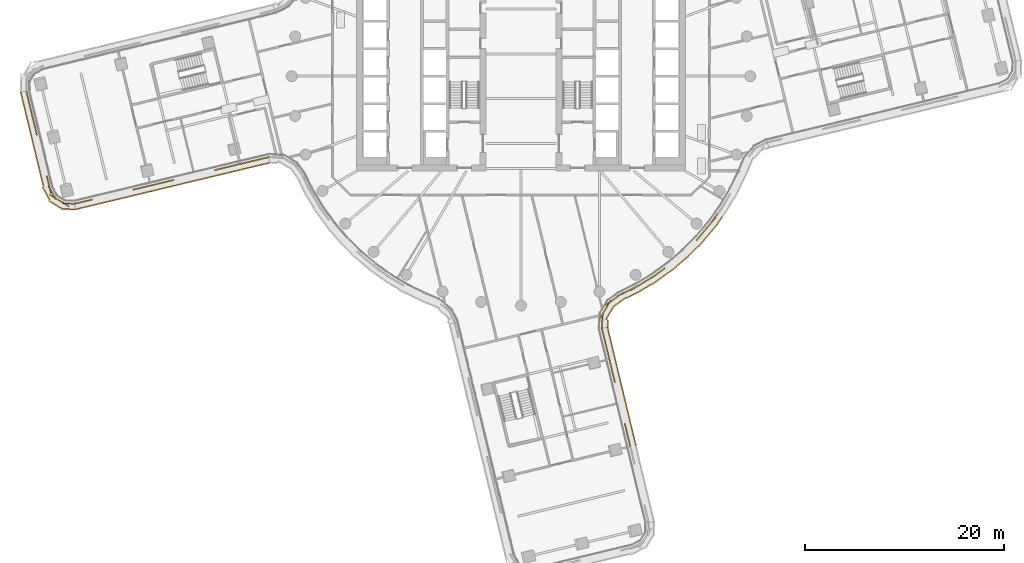
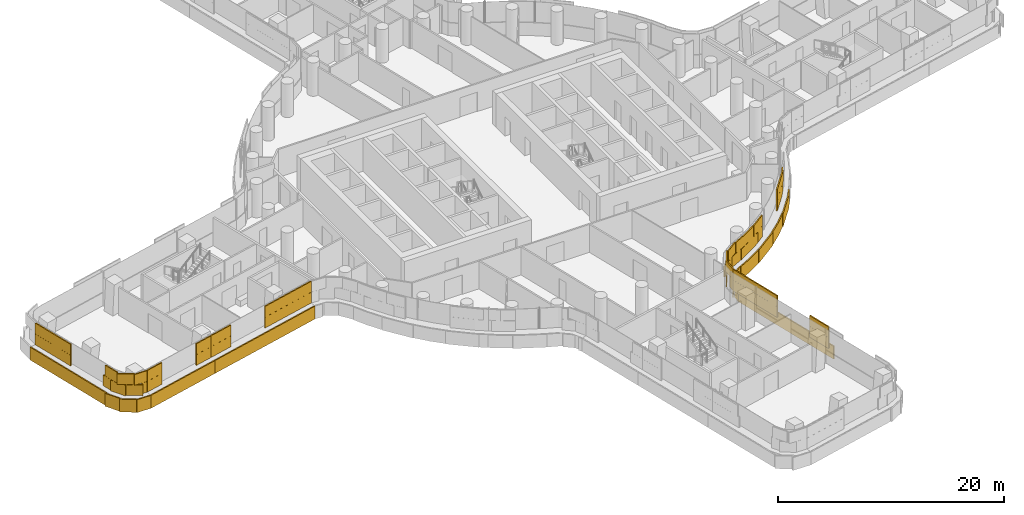
# One storey, part 26 of 33: 5 coverings.
"""IFC4 building model written with IfcOpenShell, lengths in metres."""

import ifcopenshell
import ifcopenshell.guid

model = None  # the IFC model being written
_history = None  # IfcOwnerHistory: only IFC2X3 demands one
_inside = {}  # id of a spatial element -> (the spatial element, [elements in it])
_under = {}  # id of a project, library or spatial element -> (it, [spatial elements below it])
_declared = {}  # id of a project -> (the project, [libraries it declares])
_typed = {}  # id of a type object -> (the type object, [elements of that type])
_made_of = {}  # id of a material, layer set ... -> (it, [elements and type objects made of it])


def new_model(schema):
    """Start an empty IFC model of exactly this schema.

    Asked for "IFC4X3", IfcOpenShell would pick the latest addendum, in which some entities
    have other attributes; the version numbers below select the first issue.
    IFC2X3 requires an IfcOwnerHistory on every rooted entity: one is made here for all.
    """
    global model, _history
    if schema == "IFC4X3":
        model = ifcopenshell.file(schema_version=(4, 3, 0, 0))
    else:
        model = ifcopenshell.file(schema=schema)
    _inside.clear()
    _under.clear()
    _declared.clear()
    _typed.clear()
    _made_of.clear()
    _history = None
    if model.schema == "IFC2X3":
        org = make("IfcOrganization", Name="unknown")
        user = make(
            "IfcPersonAndOrganization",
            ThePerson=make("IfcPerson", FamilyName="unknown"),
            TheOrganization=org,
        )
        app = make(
            "IfcApplication",
            ApplicationDeveloper=org,
            Version="unknown",
            ApplicationFullName="unknown",
            ApplicationIdentifier="unknown",
        )
        _history = make(
            "IfcOwnerHistory",
            OwningUser=user,
            OwningApplication=app,
            ChangeAction="ADDED",
            CreationDate=0,
        )
    return model


def make(cls, **values):
    """One entity of the class cls with the attributes given. An attribute that is None is left unset."""
    return model.create_entity(
        cls, **{name: value for name, value in values.items() if value is not None}
    )


def rooted(cls, **values):
    """An entity with a GlobalId (a new one), such as an element, a storey or a relation."""
    return make(cls, GlobalId=ifcopenshell.guid.new(), OwnerHistory=_history, **values)


def si_unit(unit_type, name, prefix=None):
    """IfcSIUnit, for example si_unit("LENGTHUNIT", "METRE", prefix="MILLI")."""
    return make("IfcSIUnit", UnitType=unit_type, Prefix=prefix, Name=name)


def assignment(units):
    """IfcUnitAssignment: the units of a project."""
    return None if units is None else make("IfcUnitAssignment", Units=units)


def point(xyz):
    """IfcCartesianPoint."""
    return None if xyz is None else make("IfcCartesianPoint", Coordinates=xyz)


def direction(xyz):
    """IfcDirection."""
    return None if xyz is None else make("IfcDirection", DirectionRatios=xyz)


def frame(location, z_axis=None, x_axis=None):
    """IfcAxis2Placement3D, a coordinate frame: its origin and axes. An axis left out is left unset."""
    return make(
        "IfcAxis2Placement3D",
        Location=point(location),
        Axis=direction(z_axis),
        RefDirection=direction(x_axis),
    )


def frame_2d(location, x_axis=None):
    """IfcAxis2Placement2D, a coordinate frame in the plane: its origin and x axis."""
    return make(
        "IfcAxis2Placement2D", Location=point(location), RefDirection=direction(x_axis)
    )


def origin():
    """The frame at (0, 0, 0) with its axes left unset."""
    return frame((0.0, 0.0, 0.0))


def origin_2d():
    """The frame at (0, 0) in the plane with its x axis left unset."""
    return frame_2d((0.0, 0.0))


def place(relative_to, where):
    """IfcLocalPlacement: puts the frame where relative to a parent placement (None: the world)."""
    return make(
        "IfcLocalPlacement", PlacementRelTo=relative_to, RelativePlacement=where
    )


def context(
    kind, dimensions, precision=None, world=None, true_north=None, identifier=None
):
    """IfcGeometricRepresentationContext, for example the 3D "Model" context."""
    return make(
        "IfcGeometricRepresentationContext",
        ContextIdentifier=identifier,
        ContextType=kind,
        CoordinateSpaceDimension=dimensions,
        Precision=precision,
        WorldCoordinateSystem=world,
        TrueNorth=true_north,
    )


def subcontext(parent, identifier, kind, view, scale=None):
    """IfcGeometricRepresentationSubContext, for example "Body" below "Model"."""
    return make(
        "IfcGeometricRepresentationSubContext",
        ContextIdentifier=identifier,
        ContextType=kind,
        ParentContext=parent,
        TargetScale=scale,
        TargetView=view,
    )


def project(units=None, contexts=None):
    """IfcProject with its units and contexts."""
    return rooted(
        "IfcProject",
        Name="project",
        RepresentationContexts=contexts,
        UnitsInContext=assignment(units),
    )


def spatial(cls, under=None, at=None, **own):
    """A site, building, storey or space (cls), placed at a placement, below another one or the project."""
    s = rooted(cls, ObjectPlacement=at, **own)
    if under is not None:
        _under.setdefault(under.id(), (under, []))[1].append(s)
    return s


def profile(cls, at=None, kind="AREA", **sizes):
    """A parametric profile (cls). Its sizes go by their IFC names, for example OverallWidth=200.0."""
    return make(cls, ProfileType=kind, Position=at, **sizes)


def rectangle(**sizes):
    """IfcRectangleProfileDef."""
    return profile("IfcRectangleProfileDef", **sizes)


def extrude(swept, where, along, depth):
    """IfcExtrudedAreaSolid: the profile swept, set in the frame where, extruded along a direction by depth."""
    return make(
        "IfcExtrudedAreaSolid",
        SweptArea=swept,
        Position=where,
        ExtrudedDirection=direction(along),
        Depth=depth,
    )


def shape(context_of_items, identifier, shape_type, items):
    """IfcShapeRepresentation: the items that make up one representation, for example the "Body"."""
    return make(
        "IfcShapeRepresentation",
        ContextOfItems=context_of_items,
        RepresentationIdentifier=identifier,
        RepresentationType=shape_type,
        Items=items,
    )


def material(Name=None, Category=None):
    """IfcMaterial."""
    return make("IfcMaterial", Name=Name, Category=Category)


def layer(
    of_material, thickness, ventilated=None, Name=None, Category=None, Priority=None
):
    """IfcMaterialLayer: one layer of a wall or slab, of a material (None: an air gap)."""
    return make(
        "IfcMaterialLayer",
        Material=of_material,
        LayerThickness=thickness,
        IsVentilated=ventilated,
        Name=Name,
        Category=Category,
        Priority=Priority,
    )


def layer_set(layers, Name=None):
    """IfcMaterialLayerSet."""
    return make("IfcMaterialLayerSet", MaterialLayers=layers, LayerSetName=Name)


def made_of(thing, what):
    """Note that an element or type object is made of a material, layer set ...; save() writes the relation."""
    if what is not None:
        _made_of.setdefault(what.id(), (what, []))[1].append(thing)
    return thing


def type_object(cls, material=None, **own):
    """A type object (cls), such as IfcWallType, which elements share."""
    return made_of(rooted(cls, **own), material)


def element(
    cls,
    number,
    at=None,
    inside=None,
    cuts=None,
    type_object=None,
    material=None,
    context=None,
    identifier="Body",
    shape_type=None,
    held_by="IfcProductDefinitionShape",
    body=None,
    shapes=None,
    **own,
):
    """One element of the class cls, such as IfcWall. Its Tag is "e" and its number.

    at: its placement. inside: the storey or other place that contains it. cuts: it is an
    opening in that element (IfcRelVoidsElement). A single representation is given by context,
    identifier, shape_type and body (its items); several are given by shapes. held_by: the class
    of the entity that holds the representations. save() writes the other relations.
    """
    e = rooted(cls, Tag="e%d" % number, ObjectPlacement=at, **own)
    if body is not None:
        shapes = [shape(context, identifier, shape_type, body)]
    if shapes is not None:
        e.Representation = make(held_by, Representations=shapes)
    if inside is not None:
        _inside.setdefault(inside.id(), (inside, []))[1].append(e)
    if cuts is not None:
        rooted(
            "IfcRelVoidsElement", RelatingBuildingElement=cuts, RelatedOpeningElement=e
        )
    if type_object is not None:
        _typed.setdefault(type_object.id(), (type_object, []))[1].append(e)
    return made_of(e, material)


def aggregate(whole, parts):
    """IfcRelAggregates: a whole, such as a stair, and the parts it consists of."""
    return rooted("IfcRelAggregates", RelatingObject=whole, RelatedObjects=parts)


def save(model, path):
    """Write the relations noted so far, then the file.

    IfcRelAggregates (storeys below a building ...), IfcRelContainedInSpatialStructure (elements
    in a storey), IfcRelDefinesByType, IfcRelAssociatesMaterial and IfcRelDeclares: one each for
    every whole, place, type object, material and project.
    """
    for whole, parts in _under.values():
        aggregate(whole, parts)
    for where, things in _inside.values():
        rooted(
            "IfcRelContainedInSpatialStructure",
            RelatedElements=things,
            RelatingStructure=where,
        )
    for kind, things in _typed.values():
        rooted("IfcRelDefinesByType", RelatedObjects=things, RelatingType=kind)
    for what, things in _made_of.values():
        rooted("IfcRelAssociatesMaterial", RelatedObjects=things, RelatingMaterial=what)
    for by, libraries in _declared.values():
        rooted("IfcRelDeclares", RelatingContext=by, RelatedDefinitions=libraries)
    model.write(path)


model = new_model("IFC4")

# Units and contexts
model_context = context("Model", 3, precision=1e-05, world=origin(), true_north=direction((0.0, 1.0)))
body_context = subcontext(model_context, "Body", "Model", "MODEL_VIEW")
ifc_project = project(units=[si_unit("LENGTHUNIT", "METRE"), si_unit("AREAUNIT", "SQUARE_METRE"), si_unit("VOLUMEUNIT", "CUBIC_METRE"), si_unit("PLANEANGLEUNIT", "RADIAN"), si_unit("MASSUNIT", "GRAM", prefix="KILO")], contexts=[model_context])

# Site, building, storey
site_placement = place(None, origin())
site = spatial("IfcSite", under=ifc_project, at=site_placement, CompositionType="ELEMENT")
building_placement = place(site_placement, origin())
building = spatial("IfcBuilding", under=site, at=building_placement, Name="Tamarind Cross Interchange Tower", CompositionType="ELEMENT")
storey_placement = place(building_placement, frame((0.0, 0.0, 83.5)))
storey = spatial("IfcBuildingStorey", under=building, at=storey_placement, Name="L19", CompositionType="ELEMENT", Elevation=83.5)

# Coverings
ifc_material = material(Name="Terracotta", Category="masonry")
ifc_layer = layer(ifc_material, 0.1201171875)
ifc_layer_set = layer_set([ifc_layer], Name="Terracotta")
covering_type = type_object("IfcCoveringType", Name="Terracotta baguette screen unit", PredefinedType="MOLDING", material=ifc_layer_set)
covering_1_placement = place(storey_placement, origin())
element("IfcCovering", 1, at=covering_1_placement, inside=storey, type_object=covering_type, Name="SCR-L19-04-00", PredefinedType="MOLDING", context=body_context, shape_type="SweptSolid", body=[
    extrude(rectangle(XDim=0.760009765625, YDim=0.1201171875, at=origin_2d()), frame((-49.530517578125, -1.881103515625, 1.404052734375), z_axis=(0.0, 0.0, 1.0), x_axis=(0.234843537027, -0.972033185193, 0.0)), (0.0, 0.0, 1.0), 1.1669921875),
    extrude(rectangle(XDim=1.52001953125, YDim=0.1201171875, at=origin_2d()), frame((-49.266357421875, -2.974609375, 1.404052734375), z_axis=(0.0, 0.0, 1.0), x_axis=(0.234843537027, -0.972033185193, 0.0)), (0.0, 0.0, 1.0), 1.1669921875),
    extrude(rectangle(XDim=1.52001953125, YDim=0.1201171875, at=origin_2d()), frame((-48.9140625, -4.4326171875, 1.404052734375), z_axis=(0.0, 0.0, 1.0), x_axis=(0.234843537027, -0.972033185193, 0.0)), (0.0, 0.0, 1.0), 1.1669921875),
    extrude(rectangle(XDim=0.784912109375, YDim=0.1201171875, at=origin_2d()), frame((-48.64697265625, -5.538330078125, 1.404052734375), z_axis=(0.0, 0.0, 1.0), x_axis=(0.234843537027, -0.972033185193, 0.0)), (0.0, 0.0, 1.0), 1.1669921875),
    extrude(rectangle(XDim=1.03515625, YDim=0.1201171875, at=origin_2d()), frame((-47.44921875, -10.49560546875, 1.404052734375), z_axis=(0.0, 0.0, 1.0), x_axis=(0.234843537027, -0.972033185193, 0.0)), (0.0, 0.0, 1.0), 1.1669921875),
    extrude(rectangle(XDim=1.52001953125, YDim=0.1201171875, at=origin_2d()), frame((-47.036865234375, -11.67822265625, 1.404052734375), z_axis=(0.0, 0.0, 1.0), x_axis=(0.478422138351, -0.878129977586, 0.0)), (0.0, 0.0, 1.0), 1.1669921875),
    extrude(rectangle(XDim=1.52001953125, YDim=0.1201171875, at=origin_2d()), frame((-45.979736328125, -12.67236328125, 1.404052734375), z_axis=(0.0, 0.0, 1.0), x_axis=(0.853390714338, -0.521271799238, 0.0)), (0.0, 0.0, 1.0), 1.1669921875),
    extrude(rectangle(XDim=0.509521484375, YDim=0.1201171875, at=origin_2d()), frame((-45.00634765625, -12.785888671875, 1.404052734375), z_axis=(0.0, 0.0, 1.0), x_axis=(0.99969393759, -0.024739263248, 0.0)), (0.0, 0.0, 1.0), 1.1669921875),
    extrude(rectangle(XDim=1.510009765625, YDim=0.1201171875, at=origin_2d()), frame((-49.442626953125, -2.24560546875, 2.5791015625), z_axis=(0.0, 0.0, 1.0), x_axis=(0.234843537027, -0.972033185193, 0.0)), (0.0, 0.0, 1.0), 1.1669921875),
    extrude(rectangle(XDim=1.52001953125, YDim=0.1201171875, at=origin_2d()), frame((-49.09033203125, -3.70361328125, 2.5791015625), z_axis=(0.0, 0.0, 1.0), x_axis=(0.234843537027, -0.972033185193, 0.0)), (0.0, 0.0, 1.0), 1.1669921875),
    extrude(rectangle(XDim=1.52001953125, YDim=0.1201171875, at=origin_2d()), frame((-48.738037109375, -5.161865234375, 2.5791015625), z_axis=(0.0, 0.0, 1.0), x_axis=(0.234843537027, -0.972033185193, 0.0)), (0.0, 0.0, 1.0), 1.1669921875),
    extrude(rectangle(XDim=1.52001953125, YDim=0.1201171875, at=origin_2d()), frame((-47.328857421875, -10.993896484375, 2.5791015625), z_axis=(0.0, 0.0, 1.0), x_axis=(0.234843537027, -0.972033185193, 0.0)), (0.0, 0.0, 1.0), 1.1669921875),
    extrude(rectangle(XDim=1.52001953125, YDim=0.1201171875, at=origin_2d()), frame((-46.619873046875, -12.281494140625, 2.5791015625), z_axis=(0.0, 0.0, 1.0), x_axis=(0.853390714338, -0.521271799238, 0.0)), (0.0, 0.0, 1.0), 1.1669921875),
    extrude(rectangle(XDim=1.259521484375, YDim=0.1201171875, at=origin_2d()), frame((-45.38134765625, -12.776611328125, 2.5791015625), z_axis=(0.0, 0.0, 1.0), x_axis=(0.99969393759, -0.024739263248, 0.0)), (0.0, 0.0, 1.0), 1.1669921875),
    extrude(rectangle(XDim=0.760009765625, YDim=0.1201171875, at=origin_2d()), frame((-50.105224609375, -1.947265625, 0.00390625), z_axis=(0.0, 0.0, 1.0), x_axis=(0.234843537027, -0.972033185193, 0.0)), (0.0, 0.0, 1.0), 1.39208984375),
    extrude(rectangle(XDim=1.52001953125, YDim=0.1201171875, at=origin_2d()), frame((-49.842041015625, -3.0361328125, 0.00390625), z_axis=(0.0, 0.0, 1.0), x_axis=(0.234843537027, -0.972033185193, 0.0)), (0.0, 0.0, 1.0), 1.39208984375),
    extrude(rectangle(XDim=1.52001953125, YDim=0.1201171875, at=origin_2d()), frame((-49.48974609375, -4.494140625, 0.00390625), z_axis=(0.0, 0.0, 1.0), x_axis=(0.234843537027, -0.972033185193, 0.0)), (0.0, 0.0, 1.0), 1.39208984375),
    extrude(rectangle(XDim=1.52001953125, YDim=0.1201171875, at=origin_2d()), frame((-49.137451171875, -5.9521484375, 0.00390625), z_axis=(0.0, 0.0, 1.0), x_axis=(0.234843537027, -0.972033185193, 0.0)), (0.0, 0.0, 1.0), 1.39208984375),
    extrude(rectangle(XDim=1.52001953125, YDim=0.1201171875, at=origin_2d()), frame((-48.785400390625, -7.41015625, 0.00390625), z_axis=(0.0, 0.0, 1.0), x_axis=(0.234843537027, -0.972033185193, 0.0)), (0.0, 0.0, 1.0), 1.39208984375),
    extrude(rectangle(XDim=1.52001953125, YDim=0.1201171875, at=origin_2d()), frame((-48.43310546875, -8.8681640625, 0.00390625), z_axis=(0.0, 0.0, 1.0), x_axis=(0.234843537027, -0.972033185193, 0.0)), (0.0, 0.0, 1.0), 1.39208984375),
    extrude(rectangle(XDim=1.52001953125, YDim=0.1201171875, at=origin_2d()), frame((-48.080810546875, -10.326171875, 0.00390625), z_axis=(0.0, 0.0, 1.0), x_axis=(0.234843537027, -0.972033185193, 0.0)), (0.0, 0.0, 1.0), 1.39208984375),
    extrude(rectangle(XDim=1.52001953125, YDim=0.1201171875, at=origin_2d()), frame((-47.6494140625, -11.75390625, 0.00390625), z_axis=(0.0, 0.0, 1.0), x_axis=(0.478422138351, -0.878129977586, 0.0)), (0.0, 0.0, 1.0), 1.39208984375),
    extrude(rectangle(XDim=1.52001953125, YDim=0.1201171875, at=origin_2d()), frame((-46.73486328125, -12.8837890625, 0.00390625), z_axis=(0.0, 0.0, 1.0), x_axis=(0.853390714338, -0.521271799238, 0.0)), (0.0, 0.0, 1.0), 1.39208984375),
    extrude(rectangle(XDim=1.4267578125, YDim=0.1201171875, at=origin_2d()), frame((-45.408935546875, -13.35009765625, 0.00390625), z_axis=(0.0, 0.0, 1.0), x_axis=(0.99969393759, -0.024739263248, 0.0)), (0.0, 0.0, 1.0), 1.39208984375),
])
covering_2_placement = place(storey_placement, origin())
element("IfcCovering", 2, at=covering_2_placement, inside=storey, type_object=covering_type, Name="SCR-L19-05-00", PredefinedType="MOLDING", context=body_context, shape_type="SweptSolid", body=[
    extrude(rectangle(XDim=0.760009765625, YDim=0.1201171875, at=origin_2d()), frame((-44.39208984375, -12.704345703125, 1.404052734375), z_axis=(0.0, 0.0, 1.0), x_axis=(0.972346190764, 0.233544182771, 0.0)), (0.0, 0.0, 1.0), 1.1669921875),
    extrude(rectangle(XDim=1.06591796875, YDim=0.1201171875, at=origin_2d()), frame((-43.51416015625, -12.49365234375, 1.404052734375), z_axis=(0.0, 0.0, 1.0), x_axis=(0.972346190764, 0.233544182771, 0.0)), (0.0, 0.0, 1.0), 1.1669921875),
    extrude(rectangle(XDim=0.754150390625, YDim=0.1201171875, at=origin_2d()), frame((-38.55517578125, -11.302490234375, 1.404052734375), z_axis=(0.0, 0.0, 1.0), x_axis=(0.972346190764, 0.233544182771, 0.0)), (0.0, 0.0, 1.0), 1.1669921875),
    extrude(rectangle(XDim=1.07177734375, YDim=0.1201171875, at=origin_2d()), frame((-37.67724609375, -11.091552734375, 1.404052734375), z_axis=(0.0, 0.0, 1.0), x_axis=(0.972346190764, 0.233544182771, 0.0)), (0.0, 0.0, 1.0), 1.1669921875),
    extrude(rectangle(XDim=1.510009765625, YDim=0.1201171875, at=origin_2d()), frame((-44.02734375, -12.616943359375, 2.5791015625), z_axis=(0.0, 0.0, 1.0), x_axis=(0.972346190764, 0.233544182771, 0.0)), (0.0, 0.0, 1.0), 1.1669921875),
    extrude(rectangle(XDim=0.31591796875, YDim=0.1201171875, at=origin_2d()), frame((-43.1494140625, -12.406005859375, 2.5791015625), z_axis=(0.0, 0.0, 1.0), x_axis=(0.972346190764, 0.233544182771, 0.0)), (0.0, 0.0, 1.0), 1.1669921875),
    extrude(rectangle(XDim=1.504150390625, YDim=0.1201171875, at=origin_2d()), frame((-38.1904296875, -11.21484375, 2.5791015625), z_axis=(0.0, 0.0, 1.0), x_axis=(0.972346190764, 0.233544182771, 0.0)), (0.0, 0.0, 1.0), 1.1669921875),
    extrude(rectangle(XDim=0.32177734375, YDim=0.1201171875, at=origin_2d()), frame((-37.3125, -11.00390625, 2.5791015625), z_axis=(0.0, 0.0, 1.0), x_axis=(0.972346190764, 0.233544182771, 0.0)), (0.0, 0.0, 1.0), 1.1669921875),
    extrude(rectangle(XDim=0.760009765625, YDim=0.1201171875, at=origin_2d()), frame((-44.326171875, -13.27880859375, 0.00390625), z_axis=(0.0, 0.0, 1.0), x_axis=(0.972346190764, 0.233544182771, 0.0)), (0.0, 0.0, 1.0), 1.39208984375),
    extrude(rectangle(XDim=1.52001953125, YDim=0.1201171875, at=origin_2d()), frame((-43.237060546875, -13.017333984375, 0.00390625), z_axis=(0.0, 0.0, 1.0), x_axis=(0.972346190764, 0.233544182771, 0.0)), (0.0, 0.0, 1.0), 1.39208984375),
    extrude(rectangle(XDim=1.52001953125, YDim=0.1201171875, at=origin_2d()), frame((-41.778564453125, -12.6669921875, 0.00390625), z_axis=(0.0, 0.0, 1.0), x_axis=(0.972346190764, 0.233544182771, 0.0)), (0.0, 0.0, 1.0), 1.39208984375),
    extrude(rectangle(XDim=1.52001953125, YDim=0.1201171875, at=origin_2d()), frame((-40.320068359375, -12.316650390625, 0.00390625), z_axis=(0.0, 0.0, 1.0), x_axis=(0.972346190764, 0.233544182771, 0.0)), (0.0, 0.0, 1.0), 1.39208984375),
    extrude(rectangle(XDim=1.52001953125, YDim=0.1201171875, at=origin_2d()), frame((-38.861572265625, -11.96630859375, 0.00390625), z_axis=(0.0, 0.0, 1.0), x_axis=(0.972346190764, 0.233544182771, 0.0)), (0.0, 0.0, 1.0), 1.39208984375),
    extrude(rectangle(XDim=1.06689453125, YDim=0.1201171875, at=origin_2d()), frame((-37.623291015625, -11.6689453125, 0.00390625), z_axis=(0.0, 0.0, 1.0), x_axis=(0.972346190764, 0.233544182771, 0.0)), (0.0, 0.0, 1.0), 1.39208984375),
])
covering_3_placement = place(storey_placement, origin())
element("IfcCovering", 3, at=covering_3_placement, inside=storey, type_object=covering_type, Name="SCR-L19-05-01", PredefinedType="MOLDING", context=body_context, shape_type="SweptSolid", body=[
    extrude(rectangle(XDim=0.4482421875, YDim=0.1201171875, at=origin_2d()), frame((-36.947998046875, -10.91650390625, 1.404052734375), z_axis=(0.0, 0.0, 1.0), x_axis=(0.972346190764, 0.233544182771, 0.0)), (0.0, 0.0, 1.0), 1.1669921875),
    extrude(rectangle(XDim=1.52001953125, YDim=0.1201171875, at=origin_2d()), frame((-36.005615234375, -10.690185546875, 1.404052734375), z_axis=(0.0, 0.0, 1.0), x_axis=(0.972346190764, 0.233544182771, 0.0)), (0.0, 0.0, 1.0), 1.1669921875),
    extrude(rectangle(XDim=0.47119140625, YDim=0.1201171875, at=origin_2d()), frame((-35.052001953125, -10.461181640625, 1.404052734375), z_axis=(0.0, 0.0, 1.0), x_axis=(0.972346190764, 0.233544182771, 0.0)), (0.0, 0.0, 1.0), 1.1669921875),
    extrude(rectangle(XDim=1.348876953125, YDim=0.1201171875, at=origin_2d()), frame((-30.093017578125, -9.27001953125, 1.404052734375), z_axis=(0.0, 0.0, 1.0), x_axis=(0.972346190764, 0.233544182771, 0.0)), (0.0, 0.0, 1.0), 1.1669921875),
    extrude(rectangle(XDim=1.52001953125, YDim=0.1201171875, at=origin_2d()), frame((-28.712890625, -8.9384765625, 1.404052734375), z_axis=(0.0, 0.0, 1.0), x_axis=(0.972346190764, 0.233544182771, 0.0)), (0.0, 0.0, 1.0), 1.1669921875),
    extrude(rectangle(XDim=1.52001953125, YDim=0.1201171875, at=origin_2d()), frame((-27.25439453125, -8.588134765625, 1.404052734375), z_axis=(0.0, 0.0, 1.0), x_axis=(0.972346190764, 0.233544182771, 0.0)), (0.0, 0.0, 1.0), 1.1669921875),
    extrude(rectangle(XDim=1.30712890625, YDim=0.1201171875, at=origin_2d()), frame((-25.89453125, -8.261474609375, 1.404052734375), z_axis=(0.0, 0.0, 1.0), x_axis=(0.972346190764, 0.233544182771, 0.0)), (0.0, 0.0, 1.0), 1.1669921875),
    extrude(rectangle(XDim=1.1982421875, YDim=0.1201171875, at=origin_2d()), frame((-36.583251953125, -10.828857421875, 2.5791015625), z_axis=(0.0, 0.0, 1.0), x_axis=(0.972346190764, 0.233544182771, 0.0)), (0.0, 0.0, 1.0), 1.1669921875),
    extrude(rectangle(XDim=1.22119140625, YDim=0.1201171875, at=origin_2d()), frame((-35.416748046875, -10.548583984375, 2.5791015625), z_axis=(0.0, 0.0, 1.0), x_axis=(0.972346190764, 0.233544182771, 0.0)), (0.0, 0.0, 1.0), 1.1669921875),
    extrude(rectangle(XDim=0.598876953125, YDim=0.1201171875, at=origin_2d()), frame((-30.457763671875, -9.357666015625, 2.5791015625), z_axis=(0.0, 0.0, 1.0), x_axis=(0.972346190764, 0.233544182771, 0.0)), (0.0, 0.0, 1.0), 1.1669921875),
    extrude(rectangle(XDim=1.52001953125, YDim=0.1201171875, at=origin_2d()), frame((-29.442138671875, -9.11376953125, 2.5791015625), z_axis=(0.0, 0.0, 1.0), x_axis=(0.972346190764, 0.233544182771, 0.0)), (0.0, 0.0, 1.0), 1.1669921875),
    extrude(rectangle(XDim=1.52001953125, YDim=0.1201171875, at=origin_2d()), frame((-27.983642578125, -8.763427734375, 2.5791015625), z_axis=(0.0, 0.0, 1.0), x_axis=(0.972346190764, 0.233544182771, 0.0)), (0.0, 0.0, 1.0), 1.1669921875),
    extrude(rectangle(XDim=1.52001953125, YDim=0.1201171875, at=origin_2d()), frame((-26.525146484375, -8.4130859375, 2.5791015625), z_axis=(0.0, 0.0, 1.0), x_axis=(0.972346190764, 0.233544182771, 0.0)), (0.0, 0.0, 1.0), 1.1669921875),
    extrude(rectangle(XDim=0.55712890625, YDim=0.1201171875, at=origin_2d()), frame((-25.530029296875, -8.174072265625, 2.5791015625), z_axis=(0.0, 0.0, 1.0), x_axis=(0.972346190764, 0.233544182771, 0.0)), (0.0, 0.0, 1.0), 1.1669921875),
    extrude(rectangle(XDim=0.453125, YDim=0.1201171875, at=origin_2d()), frame((-36.88427734375, -11.491455078125, 0.00390625), z_axis=(0.0, 0.0, 1.0), x_axis=(0.972346190764, 0.233544182771, 0.0)), (0.0, 0.0, 1.0), 1.39208984375),
    extrude(rectangle(XDim=1.52001953125, YDim=0.1201171875, at=origin_2d()), frame((-35.944580078125, -11.265869140625, 0.00390625), z_axis=(0.0, 0.0, 1.0), x_axis=(0.972346190764, 0.233544182771, 0.0)), (0.0, 0.0, 1.0), 1.39208984375),
    extrude(rectangle(XDim=1.52001953125, YDim=0.1201171875, at=origin_2d()), frame((-34.486083984375, -10.91552734375, 0.00390625), z_axis=(0.0, 0.0, 1.0), x_axis=(0.972346190764, 0.233544182771, 0.0)), (0.0, 0.0, 1.0), 1.39208984375),
    extrude(rectangle(XDim=1.52001953125, YDim=0.1201171875, at=origin_2d()), frame((-33.027587890625, -10.565185546875, 0.00390625), z_axis=(0.0, 0.0, 1.0), x_axis=(0.972346190764, 0.233544182771, 0.0)), (0.0, 0.0, 1.0), 1.39208984375),
    extrude(rectangle(XDim=1.52001953125, YDim=0.1201171875, at=origin_2d()), frame((-31.569091796875, -10.21484375, 0.00390625), z_axis=(0.0, 0.0, 1.0), x_axis=(0.972346190764, 0.233544182771, 0.0)), (0.0, 0.0, 1.0), 1.39208984375),
    extrude(rectangle(XDim=1.52001953125, YDim=0.1201171875, at=origin_2d()), frame((-30.110595703125, -9.864501953125, 0.00390625), z_axis=(0.0, 0.0, 1.0), x_axis=(0.972346190764, 0.233544182771, 0.0)), (0.0, 0.0, 1.0), 1.39208984375),
    extrude(rectangle(XDim=1.52001953125, YDim=0.1201171875, at=origin_2d()), frame((-28.652099609375, -9.51416015625, 0.00390625), z_axis=(0.0, 0.0, 1.0), x_axis=(0.972346190764, 0.233544182771, 0.0)), (0.0, 0.0, 1.0), 1.39208984375),
    extrude(rectangle(XDim=1.52001953125, YDim=0.1201171875, at=origin_2d()), frame((-27.193359375, -9.163818359375, 0.00390625), z_axis=(0.0, 0.0, 1.0), x_axis=(0.972346190764, 0.233544182771, 0.0)), (0.0, 0.0, 1.0), 1.39208984375),
    extrude(rectangle(XDim=1.294921875, YDim=0.1201171875, at=origin_2d()), frame((-25.844482421875, -8.83984375, 0.00390625), z_axis=(0.0, 0.0, 1.0), x_axis=(0.972346190764, 0.233544182771, 0.0)), (0.0, 0.0, 1.0), 1.39208984375),
])
covering_4_placement = place(storey_placement, origin())
element("IfcCovering", 4, at=covering_4_placement, inside=storey, type_object=covering_type, Name="SCR-L19-09-01", PredefinedType="MOLDING", context=body_context, shape_type="SweptSolid", body=[
    extrude(rectangle(XDim=0.4482421875, YDim=0.1201171875, at=origin_2d()), frame((10.91650390625, -36.947998046875, 1.404052734375), z_axis=(0.0, 0.0, 1.0), x_axis=(-0.233544182771, 0.972346190764, 0.0)), (0.0, 0.0, 1.0), 1.1669921875),
    extrude(rectangle(XDim=1.52001953125, YDim=0.1201171875, at=origin_2d()), frame((10.690185546875, -36.005615234375, 1.404052734375), z_axis=(0.0, 0.0, 1.0), x_axis=(-0.233544182771, 0.972346190764, 0.0)), (0.0, 0.0, 1.0), 1.1669921875),
    extrude(rectangle(XDim=0.47119140625, YDim=0.1201171875, at=origin_2d()), frame((10.461181640625, -35.052001953125, 1.404052734375), z_axis=(0.0, 0.0, 1.0), x_axis=(-0.233544182771, 0.972346190764, 0.0)), (0.0, 0.0, 1.0), 1.1669921875),
    extrude(rectangle(XDim=1.348876953125, YDim=0.1201171875, at=origin_2d()), frame((9.27001953125, -30.093017578125, 1.404052734375), z_axis=(0.0, 0.0, 1.0), x_axis=(-0.233544182771, 0.972346190764, 0.0)), (0.0, 0.0, 1.0), 1.1669921875),
    extrude(rectangle(XDim=1.52001953125, YDim=0.1201171875, at=origin_2d()), frame((8.9384765625, -28.712890625, 1.404052734375), z_axis=(0.0, 0.0, 1.0), x_axis=(-0.233544182771, 0.972346190764, 0.0)), (0.0, 0.0, 1.0), 1.1669921875),
    extrude(rectangle(XDim=1.52001953125, YDim=0.1201171875, at=origin_2d()), frame((8.588134765625, -27.25439453125, 1.404052734375), z_axis=(0.0, 0.0, 1.0), x_axis=(-0.233544182771, 0.972346190764, 0.0)), (0.0, 0.0, 1.0), 1.1669921875),
    extrude(rectangle(XDim=1.30712890625, YDim=0.1201171875, at=origin_2d()), frame((8.261474609375, -25.89453125, 1.404052734375), z_axis=(0.0, 0.0, 1.0), x_axis=(-0.233544182771, 0.972346190764, 0.0)), (0.0, 0.0, 1.0), 1.1669921875),
    extrude(rectangle(XDim=1.1982421875, YDim=0.1201171875, at=origin_2d()), frame((10.828857421875, -36.583251953125, 2.5791015625), z_axis=(0.0, 0.0, 1.0), x_axis=(-0.233544182771, 0.972346190764, 0.0)), (0.0, 0.0, 1.0), 1.1669921875),
    extrude(rectangle(XDim=1.22119140625, YDim=0.1201171875, at=origin_2d()), frame((10.548583984375, -35.416748046875, 2.5791015625), z_axis=(0.0, 0.0, 1.0), x_axis=(-0.233544182771, 0.972346190764, 0.0)), (0.0, 0.0, 1.0), 1.1669921875),
    extrude(rectangle(XDim=0.598876953125, YDim=0.1201171875, at=origin_2d()), frame((9.357666015625, -30.457763671875, 2.5791015625), z_axis=(0.0, 0.0, 1.0), x_axis=(-0.233544182771, 0.972346190764, 0.0)), (0.0, 0.0, 1.0), 1.1669921875),
    extrude(rectangle(XDim=1.52001953125, YDim=0.1201171875, at=origin_2d()), frame((9.11376953125, -29.442138671875, 2.5791015625), z_axis=(0.0, 0.0, 1.0), x_axis=(-0.233544182771, 0.972346190764, 0.0)), (0.0, 0.0, 1.0), 1.1669921875),
    extrude(rectangle(XDim=1.52001953125, YDim=0.1201171875, at=origin_2d()), frame((8.763427734375, -27.983642578125, 2.5791015625), z_axis=(0.0, 0.0, 1.0), x_axis=(-0.233544182771, 0.972346190764, 0.0)), (0.0, 0.0, 1.0), 1.1669921875),
    extrude(rectangle(XDim=1.52001953125, YDim=0.1201171875, at=origin_2d()), frame((8.4130859375, -26.525146484375, 2.5791015625), z_axis=(0.0, 0.0, 1.0), x_axis=(-0.233544182771, 0.972346190764, 0.0)), (0.0, 0.0, 1.0), 1.1669921875),
    extrude(rectangle(XDim=0.55712890625, YDim=0.1201171875, at=origin_2d()), frame((8.174072265625, -25.530029296875, 2.5791015625), z_axis=(0.0, 0.0, 1.0), x_axis=(-0.233544182771, 0.972346190764, 0.0)), (0.0, 0.0, 1.0), 1.1669921875),
    extrude(rectangle(XDim=0.453125, YDim=0.1201171875, at=origin_2d()), frame((11.491455078125, -36.88427734375, 0.00390625), z_axis=(0.0, 0.0, 1.0), x_axis=(-0.233544182771, 0.972346190764, 0.0)), (0.0, 0.0, 1.0), 1.39208984375),
    extrude(rectangle(XDim=1.52001953125, YDim=0.1201171875, at=origin_2d()), frame((11.265869140625, -35.944580078125, 0.00390625), z_axis=(0.0, 0.0, 1.0), x_axis=(-0.233544182771, 0.972346190764, 0.0)), (0.0, 0.0, 1.0), 1.39208984375),
    extrude(rectangle(XDim=1.52001953125, YDim=0.1201171875, at=origin_2d()), frame((10.91552734375, -34.486083984375, 0.00390625), z_axis=(0.0, 0.0, 1.0), x_axis=(-0.233544182771, 0.972346190764, 0.0)), (0.0, 0.0, 1.0), 1.39208984375),
    extrude(rectangle(XDim=1.52001953125, YDim=0.1201171875, at=origin_2d()), frame((10.565185546875, -33.027587890625, 0.00390625), z_axis=(0.0, 0.0, 1.0), x_axis=(-0.233544182771, 0.972346190764, 0.0)), (0.0, 0.0, 1.0), 1.39208984375),
    extrude(rectangle(XDim=1.52001953125, YDim=0.1201171875, at=origin_2d()), frame((10.21484375, -31.569091796875, 0.00390625), z_axis=(0.0, 0.0, 1.0), x_axis=(-0.233544182771, 0.972346190764, 0.0)), (0.0, 0.0, 1.0), 1.39208984375),
    extrude(rectangle(XDim=1.52001953125, YDim=0.1201171875, at=origin_2d()), frame((9.864501953125, -30.110595703125, 0.00390625), z_axis=(0.0, 0.0, 1.0), x_axis=(-0.233544182771, 0.972346190764, 0.0)), (0.0, 0.0, 1.0), 1.39208984375),
    extrude(rectangle(XDim=1.52001953125, YDim=0.1201171875, at=origin_2d()), frame((9.51416015625, -28.652099609375, 0.00390625), z_axis=(0.0, 0.0, 1.0), x_axis=(-0.233544182771, 0.972346190764, 0.0)), (0.0, 0.0, 1.0), 1.39208984375),
    extrude(rectangle(XDim=1.52001953125, YDim=0.1201171875, at=origin_2d()), frame((9.163818359375, -27.193359375, 0.00390625), z_axis=(0.0, 0.0, 1.0), x_axis=(-0.233544182771, 0.972346190764, 0.0)), (0.0, 0.0, 1.0), 1.39208984375),
    extrude(rectangle(XDim=1.294921875, YDim=0.1201171875, at=origin_2d()), frame((8.83984375, -25.844482421875, 0.00390625), z_axis=(0.0, 0.0, 1.0), x_axis=(-0.233544182771, 0.972346190764, 0.0)), (0.0, 0.0, 1.0), 1.39208984375),
])
covering_5_placement = place(storey_placement, origin())
element("IfcCovering", 5, at=covering_5_placement, inside=storey, type_object=covering_type, Name="SCR-L19-10-00", PredefinedType="MOLDING", context=body_context, shape_type="SweptSolid", body=[
    extrude(rectangle(XDim=0.760009765625, YDim=0.1201171875, at=origin_2d()), frame((8.135009765625, -24.889892578125, 1.404052734375), z_axis=(0.0, 0.0, 1.0), x_axis=(0.06617526139, 0.997808014991, 0.0)), (0.0, 0.0, 1.0), 1.1669921875),
    extrude(rectangle(XDim=1.52001953125, YDim=0.1201171875, at=origin_2d()), frame((8.23486328125, -23.775146484375, 1.404052734375), z_axis=(0.0, 0.0, 1.0), x_axis=(0.511685343563, 0.859172921584, 0.0)), (0.0, 0.0, 1.0), 1.1669921875),
    extrude(rectangle(XDim=1.52001953125, YDim=0.1201171875, at=origin_2d()), frame((9.073486328125, -22.551513671875, 1.404052734375), z_axis=(0.0, 0.0, 1.0), x_axis=(0.811998665144, 0.583659290857, 0.0)), (0.0, 0.0, 1.0), 1.1669921875),
    extrude(rectangle(XDim=1.52001953125, YDim=0.1201171875, at=origin_2d()), frame((10.32958984375, -21.739501953125, 1.404052734375), z_axis=(0.0, 0.0, 1.0), x_axis=(0.89632521848, 0.443397229037, 0.0)), (0.0, 0.0, 1.0), 1.1669921875),
    extrude(rectangle(XDim=1.52001953125, YDim=0.1201171875, at=origin_2d()), frame((11.668701171875, -21.06494140625, 1.404052734375), z_axis=(0.0, 0.0, 1.0), x_axis=(0.856843065292, 0.515577308909, 0.0)), (0.0, 0.0, 1.0), 1.1669921875),
    extrude(rectangle(XDim=1.52001953125, YDim=0.1201171875, at=origin_2d()), frame((12.9541015625, -20.29150390625, 1.404052734375), z_axis=(0.0, 0.0, 1.0), x_axis=(0.856843065292, 0.515577308909, 0.0)), (0.0, 0.0, 1.0), 1.1669921875),
    extrude(rectangle(XDim=1.0859375, YDim=0.1201171875, at=origin_2d()), frame((14.015380859375, -19.563232421875, 1.404052734375), z_axis=(0.0, 0.0, 1.0), x_axis=(0.811340475102, 0.584573890505, 0.0)), (0.0, 0.0, 1.0), 1.1669921875),
    extrude(rectangle(XDim=0.734130859375, YDim=0.1201171875, at=origin_2d()), frame((17.828125, -16.192138671875, 1.404052734375), z_axis=(0.0, 0.0, 1.0), x_axis=(0.643009266048, 0.765858396687, 0.0)), (0.0, 0.0, 1.0), 1.1669921875),
    extrude(rectangle(XDim=1.52001953125, YDim=0.1201171875, at=origin_2d()), frame((18.543212890625, -15.34033203125, 1.404052734375), z_axis=(0.0, 0.0, 1.0), x_axis=(0.643009266048, 0.765858396687, 0.0)), (0.0, 0.0, 1.0), 1.1669921875),
    extrude(rectangle(XDim=1.221923828125, YDim=0.1201171875, at=origin_2d()), frame((19.380126953125, -14.27490234375, 1.404052734375), z_axis=(0.0, 0.0, 1.0), x_axis=(0.577568978284, 0.816341886298, 0.0)), (0.0, 0.0, 1.0), 1.1669921875),
    extrude(rectangle(XDim=1.510009765625, YDim=0.1201171875, at=origin_2d()), frame((8.15966796875, -24.515625, 2.5791015625), z_axis=(0.0, 0.0, 1.0), x_axis=(0.06617526139, 0.997808014991, 0.0)), (0.0, 0.0, 1.0), 1.1669921875),
    extrude(rectangle(XDim=1.52001953125, YDim=0.1201171875, at=origin_2d()), frame((8.61865234375, -23.130859375, 2.5791015625), z_axis=(0.0, 0.0, 1.0), x_axis=(0.511685343563, 0.859172921584, 0.0)), (0.0, 0.0, 1.0), 1.1669921875),
    extrude(rectangle(XDim=1.52001953125, YDim=0.1201171875, at=origin_2d()), frame((9.682373046875, -22.11376953125, 2.5791015625), z_axis=(0.0, 0.0, 1.0), x_axis=(0.811998665144, 0.583659290857, 0.0)), (0.0, 0.0, 1.0), 1.1669921875),
    extrude(rectangle(XDim=1.52001953125, YDim=0.1201171875, at=origin_2d()), frame((11.001708984375, -21.406982421875, 2.5791015625), z_axis=(0.0, 0.0, 1.0), x_axis=(0.89632521848, 0.443397229037, 0.0)), (0.0, 0.0, 1.0), 1.1669921875),
    extrude(rectangle(XDim=1.52001953125, YDim=0.1201171875, at=origin_2d()), frame((12.3115234375, -20.67822265625, 2.5791015625), z_axis=(0.0, 0.0, 1.0), x_axis=(0.856843065292, 0.515577308909, 0.0)), (0.0, 0.0, 1.0), 1.1669921875),
    extrude(rectangle(XDim=1.52001953125, YDim=0.1201171875, at=origin_2d()), frame((13.578857421875, -19.877685546875, 2.5791015625), z_axis=(0.0, 0.0, 1.0), x_axis=(0.811340475102, 0.584573890505, 0.0)), (0.0, 0.0, 1.0), 1.1669921875),
    extrude(rectangle(XDim=0.3359375, YDim=0.1201171875, at=origin_2d()), frame((14.319580078125, -19.343994140625, 2.5791015625), z_axis=(0.0, 0.0, 1.0), x_axis=(0.811340475102, 0.584573890505, 0.0)), (0.0, 0.0, 1.0), 1.1669921875),
    extrude(rectangle(XDim=1.484130859375, YDim=0.1201171875, at=origin_2d()), frame((18.0693359375, -15.90478515625, 2.5791015625), z_axis=(0.0, 0.0, 1.0), x_axis=(0.643009266048, 0.765858396687, 0.0)), (0.0, 0.0, 1.0), 1.1669921875),
    extrude(rectangle(XDim=1.52001953125, YDim=0.1201171875, at=origin_2d()), frame((19.025390625, -14.765869140625, 2.5791015625), z_axis=(0.0, 0.0, 1.0), x_axis=(0.643009266048, 0.765858396687, 0.0)), (0.0, 0.0, 1.0), 1.1669921875),
    extrude(rectangle(XDim=0.471923828125, YDim=0.1201171875, at=origin_2d()), frame((19.5966796875, -13.96875, 2.5791015625), z_axis=(0.0, 0.0, 1.0), x_axis=(0.577568978284, 0.816341886298, 0.0)), (0.0, 0.0, 1.0), 1.1669921875),
    extrude(rectangle(XDim=0.760009765625, YDim=0.1201171875, at=origin_2d()), frame((8.7138671875, -24.835693359375, 0.00390625), z_axis=(0.0, 0.0, 1.0), x_axis=(0.06617526139, 0.997808014991, 0.0)), (0.0, 0.0, 1.0), 1.39208984375),
    extrude(rectangle(XDim=1.52001953125, YDim=0.1201171875, at=origin_2d()), frame((8.91357421875, -23.75732421875, 0.00390625), z_axis=(0.0, 0.0, 1.0), x_axis=(0.511685343563, 0.859172921584, 0.0)), (0.0, 0.0, 1.0), 1.39208984375),
    extrude(rectangle(XDim=1.52001953125, YDim=0.1201171875, at=origin_2d()), frame((9.89697265625, -22.66650390625, 0.00390625), z_axis=(0.0, 0.0, 1.0), x_axis=(0.811998665144, 0.583659290857, 0.0)), (0.0, 0.0, 1.0), 1.39208984375),
    extrude(rectangle(XDim=1.52001953125, YDim=0.1201171875, at=origin_2d()), frame((11.207763671875, -21.945556640625, 0.00390625), z_axis=(0.0, 0.0, 1.0), x_axis=(0.89632521848, 0.443397229037, 0.0)), (0.0, 0.0, 1.0), 1.39208984375),
    extrude(rectangle(XDim=1.52001953125, YDim=0.1201171875, at=origin_2d()), frame((12.5205078125, -21.22216796875, 0.00390625), z_axis=(0.0, 0.0, 1.0), x_axis=(0.856843065292, 0.515577308909, 0.0)), (0.0, 0.0, 1.0), 1.39208984375),
    extrude(rectangle(XDim=1.52001953125, YDim=0.1201171875, at=origin_2d()), frame((13.793701171875, -20.430419921875, 0.00390625), z_axis=(0.0, 0.0, 1.0), x_axis=(0.811340475102, 0.584573890505, 0.0)), (0.0, 0.0, 1.0), 1.39208984375),
    extrude(rectangle(XDim=1.52001953125, YDim=0.1201171875, at=origin_2d()), frame((15.0107421875, -19.553466796875, 0.00390625), z_axis=(0.0, 0.0, 1.0), x_axis=(0.811340475102, 0.584573890505, 0.0)), (0.0, 0.0, 1.0), 1.39208984375),
    extrude(rectangle(XDim=1.52001953125, YDim=0.1201171875, at=origin_2d()), frame((16.1650390625, -18.596923828125, 0.00390625), z_axis=(0.0, 0.0, 1.0), x_axis=(0.760295606781, 0.64957723968, 0.0)), (0.0, 0.0, 1.0), 1.39208984375),
    extrude(rectangle(XDim=1.52001953125, YDim=0.1201171875, at=origin_2d()), frame((17.2666015625, -17.58056640625, 0.00390625), z_axis=(0.0, 0.0, 1.0), x_axis=(0.704057148523, 0.710143317658, 0.0)), (0.0, 0.0, 1.0), 1.39208984375),
    extrude(rectangle(XDim=1.52001953125, YDim=0.1201171875, at=origin_2d()), frame((18.313232421875, -16.5068359375, 0.00390625), z_axis=(0.0, 0.0, 1.0), x_axis=(0.643009266048, 0.765858396687, 0.0)), (0.0, 0.0, 1.0), 1.39208984375),
    extrude(rectangle(XDim=1.52001953125, YDim=0.1201171875, at=origin_2d()), frame((19.27783203125, -15.358154296875, 0.00390625), z_axis=(0.0, 0.0, 1.0), x_axis=(0.643009266048, 0.765858396687, 0.0)), (0.0, 0.0, 1.0), 1.39208984375),
    extrude(rectangle(XDim=0.814208984375, YDim=0.1201171875, at=origin_2d()), frame((19.965576171875, -14.441162109375, 0.00390625), z_axis=(0.0, 0.0, 1.0), x_axis=(0.577568978284, 0.816341886298, 0.0)), (0.0, 0.0, 1.0), 1.39208984375),
])

save(model, "model.ifc")
